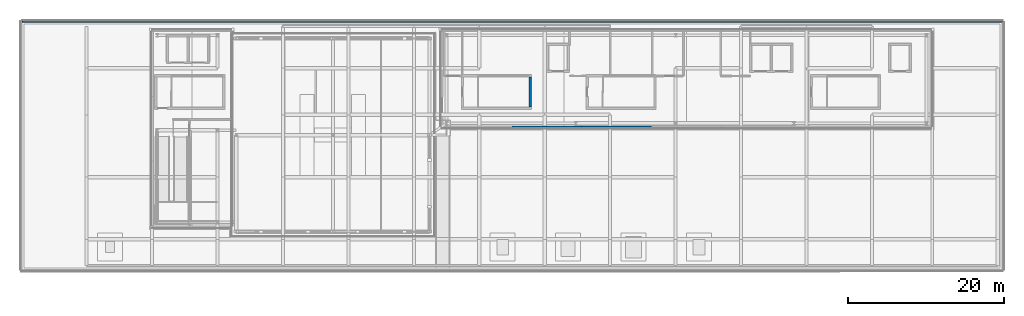
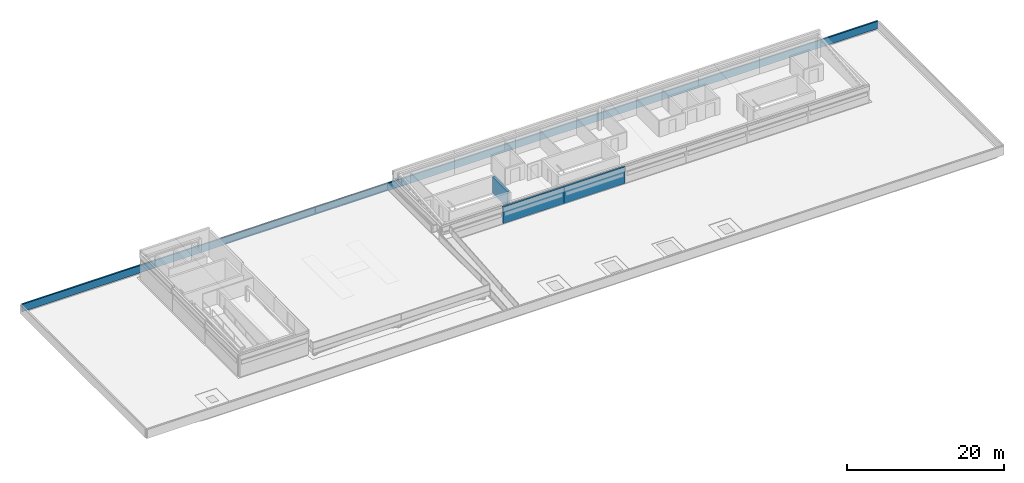
# One storey, part 9 of 14: 4 walls.
"""IFC4 building model written with IfcOpenShell, lengths in metres."""

from ifc_helpers import new_model, si_unit, direction, frame, frame_2d, origin, place, context, subcontext, project, spatial, rectangle, extrude, material, layer, layer_set, type_object, element, save


model = new_model("IFC4")

# Units and contexts
model_context = context("Model", 3, precision=1e-05, world=origin(), true_north=direction((0.0, 1.0)))
body_context = subcontext(model_context, "Body", "Model", "MODEL_VIEW")
ifc_project = project(units=[si_unit("LENGTHUNIT", "METRE"), si_unit("AREAUNIT", "SQUARE_METRE"), si_unit("VOLUMEUNIT", "CUBIC_METRE"), si_unit("PLANEANGLEUNIT", "RADIAN"), si_unit("MASSUNIT", "GRAM", prefix="KILO")], contexts=[model_context])

# Site, building, storey
site_placement = place(None, origin())
site = spatial("IfcSite", under=ifc_project, at=site_placement, CompositionType="ELEMENT")
building_placement = place(site_placement, origin())
building = spatial("IfcBuilding", under=site, at=building_placement, Name="Selatvlak General Hospital", CompositionType="ELEMENT")
storey_placement = place(building_placement, frame((0.0, 0.0, 39.449951171875)))
storey = spatial("IfcBuildingStorey", under=building, at=storey_placement, Name="RF", CompositionType="ELEMENT", Elevation=39.449951171875)

# Walls
ifc_material_1 = material(Name="Precast concrete C40/50 - white Bauhaus spandrel", Category="concrete")
ifc_layer_1 = layer(ifc_material_1, 0.280029296875, Name="Precast concrete C40/50 - white Bauhaus spandrel", Category="concrete")
ifc_layer_set_1 = layer_set([ifc_layer_1], Name="Precast concrete C40/50 - white Bauhaus spandrel")
wall_type_1 = type_object("IfcWallType", Name="WALL-EW-02", PredefinedType="SOLIDWALL", material=ifc_layer_set_1)
wall_1_placement = place(storey_placement, frame((94.1708984375, 106.39990234375, 0.0), z_axis=(0.0, 0.0, 1.0), x_axis=(1.0, 0.0, 0.0)))
element("IfcWall", 1, at=wall_1_placement, inside=storey, type_object=wall_type_1, Name="RF penthouse PENT-E wall S2", PredefinedType="SOLIDWALL", context=body_context, shape_type="SweptSolid", body=[
    extrude(rectangle(XDim=8.97216796875, YDim=0.280029296875, at=frame_2d((4.486083984375, 0.0))), origin(), (0.0, 0.0, 1.0), 2.590087890625),
])
wall_2_placement = place(storey_placement, frame((103.14306640625, 106.39990234375, 0.0), z_axis=(0.0, 0.0, 1.0), x_axis=(1.0, 0.0, 0.0)))
element("IfcWall", 2, at=wall_2_placement, inside=storey, type_object=wall_type_1, Name="RF penthouse PENT-E wall S3", PredefinedType="SOLIDWALL", context=body_context, shape_type="SweptSolid", body=[
    extrude(rectangle(XDim=8.970947265625, YDim=0.280029296875, at=frame_2d((4.4853515625, 0.0))), origin(), (0.0, 0.0, 1.0), 2.590087890625),
])
ifc_material_2 = material(Name="Precast concrete C40/50 - white fair-faced", Category="concrete")
ifc_layer_2 = layer(ifc_material_2, 0.219970703125, Name="Precast concrete C40/50 - white fair-faced", Category="concrete")
ifc_layer_set_2 = layer_set([ifc_layer_2], Name="Precast concrete C40/50 - white fair-faced")
wall_type_2 = type_object("IfcWallType", Name="WALL-PR-02", PredefinedType="PARAPET", material=ifc_layer_set_2)
wall_3_placement = place(storey_placement, frame((31.30810546875, 120.0, 0.050048828125), z_axis=(0.0, 0.0, 1.0), x_axis=(1.0, 0.0, 0.0)))
element("IfcWall", 3, at=wall_3_placement, inside=storey, type_object=wall_type_2, Name="RF roof parapet upstand PAR-RF-042", PredefinedType="PARAPET", context=body_context, shape_type="SweptSolid", body=[
    extrude(rectangle(XDim=125.891845703125, YDim=0.219970703125, at=frame_2d((62.94580078125, 0.0))), origin(), (0.0, 0.0, 1.0), 1.14990234375),
])
ifc_material_3 = material(Name="Concrete C45/55", Category="concrete")
ifc_layer_3 = layer(ifc_material_3, 0.300048828125, Name="Concrete C45/55", Category="concrete")
ifc_layer_set_3 = layer_set([ifc_layer_3], Name="Concrete C45/55")
wall_type_3 = type_object("IfcWallType", Name="WALL-SW-02", PredefinedType="SHEAR", material=ifc_layer_set_3)
wall_4_placement = place(storey_placement, frame((96.56005859375, 108.989990234375, 0.0), z_axis=(0.0, 0.0, 1.0), x_axis=(0.0, 1.0, 0.0)))
element("IfcWall", 4, at=wall_4_placement, inside=storey, type_object=wall_type_3, Name="ST-02 core shear wall RF E", PredefinedType="SHEAR", context=body_context, shape_type="SweptSolid", body=[
    extrude(rectangle(XDim=3.860107421875, YDim=0.300048828125, at=frame_2d((1.93017578125, 0.0))), origin(), (0.0, 0.0, 1.0), 2.570068359375),
])

save(model, "model.ifc")
